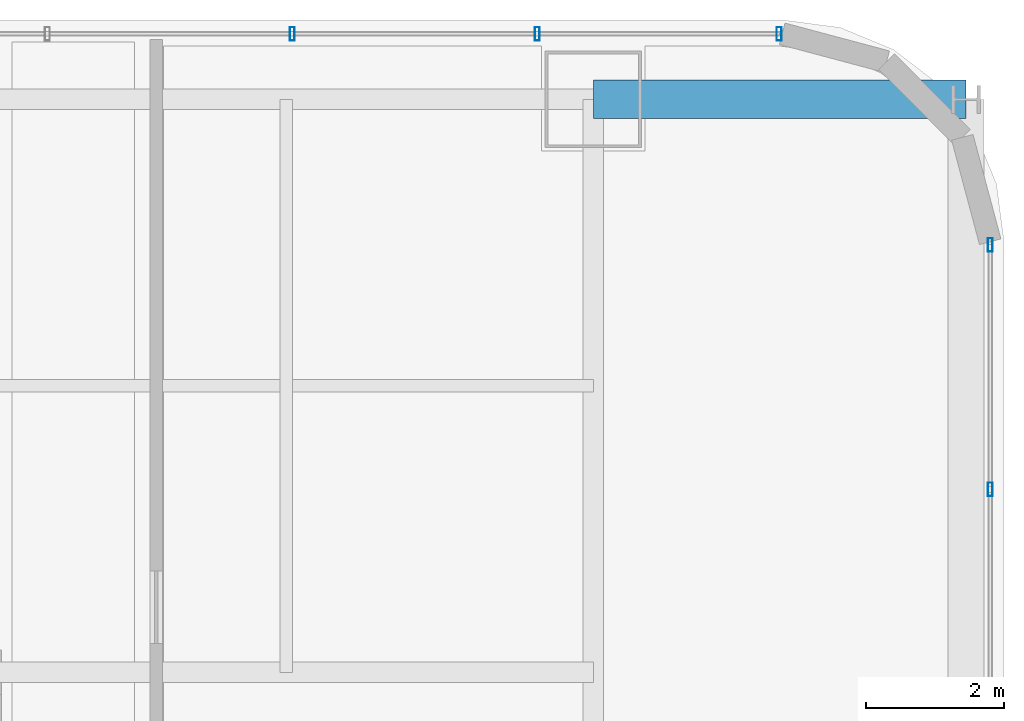
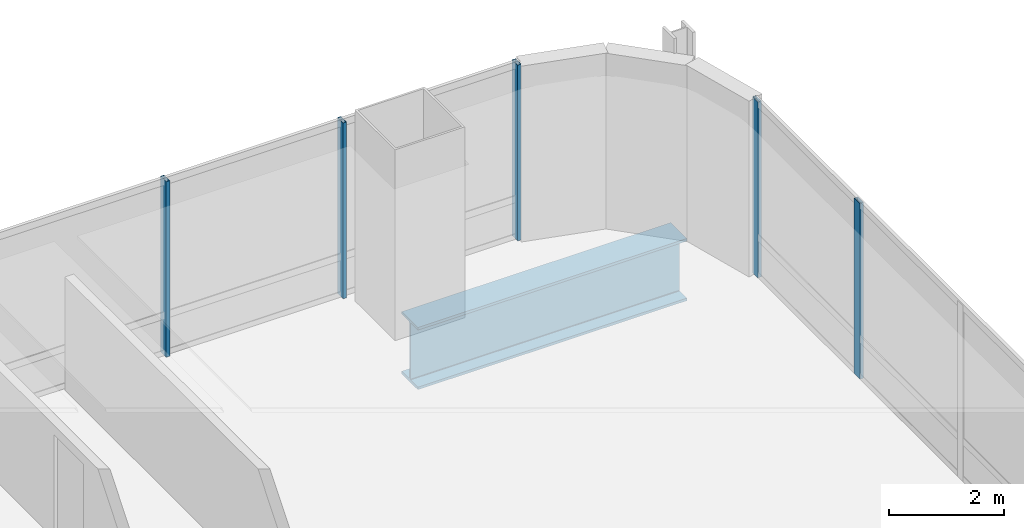
# One storey, part 27 of 35: 5 members, 1 beam, 2 elements without a shape of their own.
"""IFC4 building model written with IfcOpenShell, lengths in metres."""

from ifc_helpers import new_model, si_unit, direction, frame, origin, origin_2d, place, context, subcontext, project, spatial, hollow_rectangle, i_section, extrude, material, material_profile, profile_set, type_object, element, aggregate, save


model = new_model("IFC4")

# Units and contexts
model_context = context("Model", 3, precision=1e-05, world=origin(), true_north=direction((0.0, 1.0)))
body_context = subcontext(model_context, "Body", "Model", "MODEL_VIEW")
ifc_project = project(units=[si_unit("LENGTHUNIT", "METRE"), si_unit("AREAUNIT", "SQUARE_METRE"), si_unit("VOLUMEUNIT", "CUBIC_METRE"), si_unit("PLANEANGLEUNIT", "RADIAN"), si_unit("MASSUNIT", "GRAM", prefix="KILO")], contexts=[model_context])

# Site, building, storey
site_placement = place(None, origin())
site = spatial("IfcSite", under=ifc_project, at=site_placement, CompositionType="ELEMENT")
building_placement = place(site_placement, origin())
building = spatial("IfcBuilding", under=site, at=building_placement, Name="Punatoya Terracotta Tower", CompositionType="ELEMENT")
storey_placement = place(building_placement, frame((0.0, 0.0, 232.949951171875)))
storey = spatial("IfcBuildingStorey", under=building, at=storey_placement, Name="L55", CompositionType="ELEMENT", Elevation=232.949951171875)

# Beam
ifc_material_1 = material(Name="Steel S460", Category="steel")
ifc_material_profile_1 = material_profile(ifc_material_1, i_section(OverallWidth=0.56005859375, OverallDepth=1.320068359375, WebThickness=0.035888671875, FlangeThickness=0.054931640625, FilletRadius=0.01806640625, at=origin_2d()))
ifc_profile_set_1 = profile_set([ifc_material_profile_1], Name="Steel S460")
beam_type = type_object("IfcBeamType", Name="BM-TG-BLK", PredefinedType="BEAM", material=ifc_profile_set_1)
beam_placement = place(storey_placement, frame((19.10009765625, 17.5, -0.8798828125), z_axis=(1.0, 0.0, 0.0), x_axis=(0.0, 1.0, 0.0)))
element("IfcBeam", 1, at=beam_placement, inside=storey, type_object=beam_type, Name="BM-L55-CANT-E4", PredefinedType="BEAM", context=body_context, shape_type="SweptSolid", body=[
    extrude(i_section(OverallWidth=0.56005859375, OverallDepth=1.320068359375, WebThickness=0.035888671875, FlangeThickness=0.054931640625, FilletRadius=0.01806640625, at=origin_2d()), origin(), (0.0, 0.0, 1.0), 5.39990234375),
])

# Curtain wall, members
ifc_material_2 = material(Name="Aluminium 6063-T6 + Double Low-E Glass", Category="aluminium")
curtain_wall_type = type_object("IfcCurtainWallType", Name="CW-M2", PredefinedType="NOTDEFINED", material=ifc_material_2)
curtain_wall_1_placement = place(storey_placement, origin())
curtain_wall_1 = element("IfcCurtainWall", 2, at=curtain_wall_1_placement, inside=storey, type_object=curtain_wall_type, Name="L55 Curtain Wall CW-L55-E04-1", PredefinedType="NOTDEFINED")
ifc_material_3 = material(Name="Aluminium 6063-T6", Category="aluminium")
ifc_material_profile_2 = material_profile(ifc_material_3, hollow_rectangle(XDim=0.072021484375, YDim=0.195068359375, WallThickness=0.00439453125, at=origin_2d()))
ifc_profile_set_2 = profile_set([ifc_material_profile_2], Name="Aluminium 6063-T6")
member_type = type_object("IfcMemberType", Name="CW-MUL-M2", PredefinedType="MULLION", material=ifc_profile_set_2)
member_1_placement = place(storey_placement, frame((24.85009765625, 11.849609375, 0.0), z_axis=(0.0, 0.0, 1.0), x_axis=(1.0, 0.0, 0.0)))
member_1 = element("IfcMember", 3, at=member_1_placement, type_object=member_type, Name="CW-L55-E04-1 Mullion 08", PredefinedType="MULLION", context=body_context, shape_type="SweptSolid", body=[
    extrude(hollow_rectangle(XDim=0.072021484375, YDim=0.195068359375, WallThickness=0.00439453125, at=origin_2d()), origin(), (0.0, 0.0, 1.0), 3.72998046875),
])
member_2_placement = place(storey_placement, frame((24.85009765625, 15.391845703125, 0.0), z_axis=(0.0, 0.0, 1.0), x_axis=(1.0, 0.0, 0.0)))
member_2 = element("IfcMember", 4, at=member_2_placement, type_object=member_type, Name="CW-L55-E04-1 Mullion 09", PredefinedType="MULLION", context=body_context, shape_type="SweptSolid", body=[
    extrude(hollow_rectangle(XDim=0.072021484375, YDim=0.195068359375, WallThickness=0.00439453125, at=origin_2d()), origin(), (0.0, 0.0, 1.0), 3.72998046875),
])
aggregate(curtain_wall_1, [member_1, member_2])

curtain_wall_2_placement = place(storey_placement, origin())
curtain_wall_2 = element("IfcCurtainWall", 5, at=curtain_wall_2_placement, inside=storey, type_object=curtain_wall_type, Name="L55 Curtain Wall CW-L55-N08-1", PredefinedType="NOTDEFINED")
member_3_placement = place(storey_placement, frame((21.7919921875, 18.449951171875, 0.0), z_axis=(0.0, 0.0, 1.0), x_axis=(1.0, 0.0, 0.0)))
member_3 = element("IfcMember", 6, at=member_3_placement, type_object=member_type, Name="CW-L55-N08-1 Mullion 00", PredefinedType="MULLION", context=body_context, shape_type="SweptSolid", body=[
    extrude(hollow_rectangle(XDim=0.072021484375, YDim=0.195068359375, WallThickness=0.00439453125, at=origin_2d()), origin(), (0.0, 0.0, 1.0), 3.72998046875),
])
member_4_placement = place(storey_placement, frame((18.2880859375, 18.449951171875, 0.0), z_axis=(0.0, 0.0, 1.0), x_axis=(1.0, 0.0, 0.0)))
member_4 = element("IfcMember", 7, at=member_4_placement, type_object=member_type, Name="CW-L55-N08-1 Mullion 01", PredefinedType="MULLION", context=body_context, shape_type="SweptSolid", body=[
    extrude(hollow_rectangle(XDim=0.072021484375, YDim=0.195068359375, WallThickness=0.00439453125, at=origin_2d()), origin(), (0.0, 0.0, 1.0), 3.72998046875),
])
member_5_placement = place(storey_placement, frame((14.739501953125, 18.449951171875, 0.0), z_axis=(0.0, 0.0, 1.0), x_axis=(1.0, 0.0, 0.0)))
member_5 = element("IfcMember", 8, at=member_5_placement, type_object=member_type, Name="CW-L55-N08-1 Mullion 02", PredefinedType="MULLION", context=body_context, shape_type="SweptSolid", body=[
    extrude(hollow_rectangle(XDim=0.072021484375, YDim=0.195068359375, WallThickness=0.00439453125, at=origin_2d()), origin(), (0.0, 0.0, 1.0), 3.72998046875),
])
aggregate(curtain_wall_2, [member_3, member_4, member_5])

save(model, "model.ifc")
